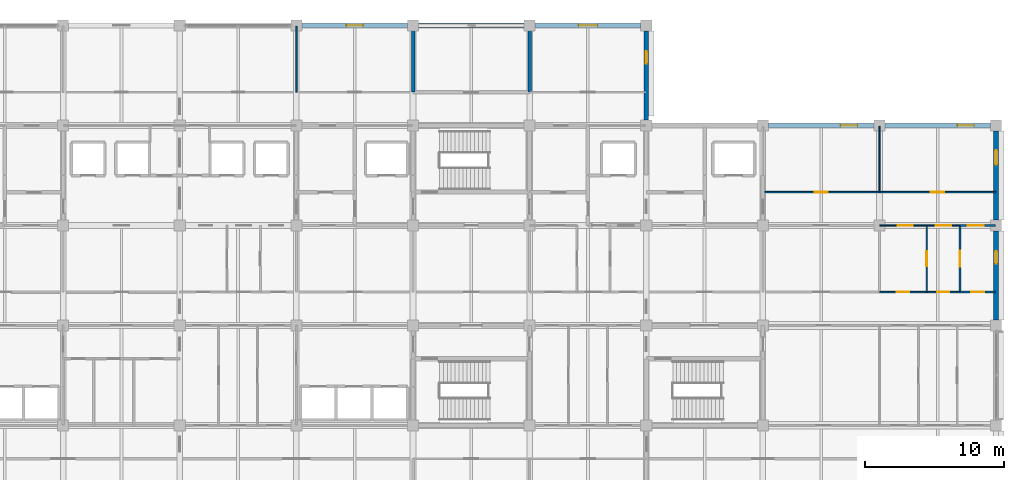
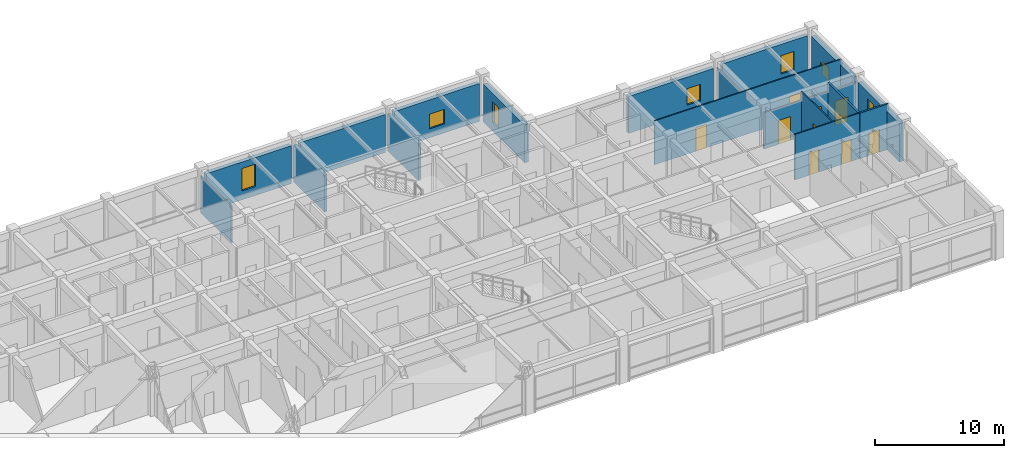
# One storey, part 26 of 30: 19 walls, 10 doors, 7 windows, 17 openings.
"""IFC4 building model written with IfcOpenShell, lengths in metres."""

from ifc_helpers import new_model, si_unit, direction, frame, frame_2d, origin, place, context, subcontext, project, spatial, rectangle, extrude, material, layer, layer_set, type_object, element, fill, save


model = new_model("IFC4")

# Units and contexts
model_context = context("Model", 3, precision=1e-05, world=origin(), true_north=direction((0.0, 1.0)))
body_context = subcontext(model_context, "Body", "Model", "MODEL_VIEW")
ifc_project = project(units=[si_unit("LENGTHUNIT", "METRE"), si_unit("AREAUNIT", "SQUARE_METRE"), si_unit("VOLUMEUNIT", "CUBIC_METRE"), si_unit("PLANEANGLEUNIT", "RADIAN"), si_unit("MASSUNIT", "GRAM", prefix="KILO")], contexts=[model_context])

# Site, building, storey
site_placement = place(None, origin())
site = spatial("IfcSite", under=ifc_project, at=site_placement, CompositionType="ELEMENT")
building_placement = place(site_placement, origin())
building = spatial("IfcBuilding", under=site, at=building_placement, Name="Chengyuan Square Courthouse", CompositionType="ELEMENT")
storey_placement = place(building_placement, frame((0.0, 0.0, 30.60009765625)))
storey = spatial("IfcBuildingStorey", under=building, at=storey_placement, Name="L07", CompositionType="ELEMENT", Elevation=30.60009765625)

# Wall, opening, window
ifc_material_1 = material(Name="Concrete C40", Category="concrete")
ifc_layer_1 = layer(ifc_material_1, 0.35009765625)
ifc_layer_set_1 = layer_set([ifc_layer_1], Name="Concrete C40")
wall_type_1 = type_object("IfcWallType", Name="WL-EW2", PredefinedType="STANDARD", material=ifc_layer_set_1)
wall_1_placement = place(storey_placement, frame((92.794921875, 115.199951171875, 0.0), z_axis=(0.0, 0.0, 1.0), x_axis=(1.0, 0.0, 0.0)))
wall_1 = element("IfcWall", 1, at=wall_1_placement, inside=storey, type_object=wall_type_1, Name="Exterior Wall WL-L07-E385", PredefinedType="STANDARD", context=body_context, shape_type="SweptSolid", body=[
    extrude(rectangle(XDim=7.610107421875, YDim=0.35009765625, at=frame_2d((3.80517578125, 0.0))), origin(), (0.0, 0.0, 1.0), 3.58984375),
])
opening_1_placement = place(wall_1_placement, frame((3.205078125, 0.0, 0.85009765625)))
opening_1 = element("IfcOpeningElement", 2, at=opening_1_placement, cuts=wall_1, Name="Opening WN-145", PredefinedType="OPENING", context=body_context, shape_type="SweptSolid", body=[
    extrude(rectangle(XDim=1.199951171875, YDim=2.1201171875, at=frame_2d((0.60009765625, 1.06005859375))), frame((0.0, 0.18701171875, 0.0), z_axis=(0.0, -1.0, 0.0), x_axis=(1.0, 0.0, 0.0)), (0.0, 0.0, 1.0), 0.3740234375),
])
ifc_material_2 = material(Name="Thermally Broken Aluminium Triple Low-E Window", Category="aluminium")
window_type_1 = type_object("IfcWindowType", Name="WT-18", PartitioningType="SINGLE_PANEL", PredefinedType="WINDOW", material=ifc_material_2)
window_1_placement = place(opening_1_placement, origin())
window_1 = element("IfcWindow", 3, at=window_1_placement, inside=storey, type_object=window_type_1, Name="Facade Window WN-145", OverallHeight=2.1201171875, OverallWidth=1.199951171875, PartitioningType="SINGLE_PANEL", PredefinedType="WINDOW", context=body_context, shape_type="SweptSolid", body=[
    extrude(rectangle(XDim=1.199951171875, YDim=2.1201171875, at=frame_2d((0.60009765625, 1.06005859375))), frame((0.0, 0.030029296875, 0.0), z_axis=(0.0, -1.0, 0.0), x_axis=(1.0, 0.0, 0.0)), (0.0, 0.0, 1.0), 0.06005859375),
])
fill(opening_1, window_1)

# Wall
wall_2_placement = place(storey_placement, frame((101.195068359375, 115.199951171875, 0.0), z_axis=(0.0, 0.0, 1.0), x_axis=(1.0, 0.0, 0.0)))
element("IfcWall", 4, at=wall_2_placement, inside=storey, type_object=wall_type_1, Name="Exterior Wall WL-L07-E386", PredefinedType="STANDARD", context=body_context, shape_type="SweptSolid", body=[
    extrude(rectangle(XDim=7.60986328125, YDim=0.35009765625, at=frame_2d((3.804931640625, 0.0))), origin(), (0.0, 0.0, 1.0), 3.58984375),
])

# Wall, opening, window
wall_3_placement = place(storey_placement, frame((109.594970703125, 115.199951171875, 0.0), z_axis=(0.0, 0.0, 1.0), x_axis=(1.0, 0.0, 0.0)))
wall_3 = element("IfcWall", 5, at=wall_3_placement, inside=storey, type_object=wall_type_1, Name="Exterior Wall WL-L07-E387", PredefinedType="STANDARD", context=body_context, shape_type="SweptSolid", body=[
    extrude(rectangle(XDim=7.610107421875, YDim=0.35009765625, at=frame_2d((3.80517578125, 0.0))), origin(), (0.0, 0.0, 1.0), 3.58984375),
])
opening_2_placement = place(wall_3_placement, frame((3.1298828125, 0.0, 0.85009765625)))
opening_2 = element("IfcOpeningElement", 6, at=opening_2_placement, cuts=wall_3, Name="Opening WN-146", PredefinedType="OPENING", context=body_context, shape_type="SweptSolid", body=[
    extrude(rectangle(XDim=1.35009765625, YDim=1.3798828125, at=frame_2d((0.675048828125, 0.68994140625))), frame((0.0, 0.18701171875, 0.0), z_axis=(0.0, -1.0, 0.0), x_axis=(1.0, 0.0, 0.0)), (0.0, 0.0, 1.0), 0.3740234375),
])
window_type_2 = type_object("IfcWindowType", Name="WT-20", PartitioningType="SINGLE_PANEL", PredefinedType="WINDOW", material=ifc_material_2)
window_2_placement = place(opening_2_placement, origin())
window_2 = element("IfcWindow", 7, at=window_2_placement, inside=storey, type_object=window_type_2, Name="Facade Window WN-146", OverallHeight=1.3798828125, OverallWidth=1.35009765625, PartitioningType="SINGLE_PANEL", PredefinedType="WINDOW", context=body_context, shape_type="SweptSolid", body=[
    extrude(rectangle(XDim=1.35009765625, YDim=1.3798828125, at=frame_2d((0.675048828125, 0.68994140625))), frame((0.0, 0.030029296875, 0.0), z_axis=(0.0, -1.0, 0.0), x_axis=(1.0, 0.0, 0.0)), (0.0, 0.0, 1.0), 0.06005859375),
])
fill(opening_2, window_2)

wall_4_placement = place(storey_placement, frame((117.60009765625, 108.39501953125, 0.0), z_axis=(0.0, 0.0, 1.0), x_axis=(0.0, 1.0, 0.0)))
wall_4 = element("IfcWall", 8, at=wall_4_placement, inside=storey, type_object=wall_type_1, Name="Exterior Wall WL-L07-E388", PredefinedType="STANDARD", context=body_context, shape_type="SweptSolid", body=[
    extrude(rectangle(XDim=6.409912109375, YDim=0.35009765625, at=frame_2d((3.205078125, 0.0))), origin(), (0.0, 0.0, 1.0), 3.58984375),
])
opening_3_placement = place(wall_4_placement, frame((4.054931640625, 0.0, 0.85009765625)))
opening_3 = element("IfcOpeningElement", 9, at=opening_3_placement, cuts=wall_4, Name="Opening WN-147", PredefinedType="OPENING", context=body_context, shape_type="SweptSolid", body=[
    extrude(rectangle(XDim=0.89990234375, YDim=1.919921875, at=frame_2d((0.449951171875, 0.9599609375))), frame((0.0, 0.18701171875, 0.0), z_axis=(0.0, -1.0, 0.0), x_axis=(1.0, 0.0, 0.0)), (0.0, 0.0, 1.0), 0.3740234375),
])
window_type_3 = type_object("IfcWindowType", Name="WT-05", PartitioningType="SINGLE_PANEL", PredefinedType="WINDOW", material=ifc_material_2)
window_3_placement = place(opening_3_placement, origin())
window_3 = element("IfcWindow", 10, at=window_3_placement, inside=storey, type_object=window_type_3, Name="Facade Window WN-147", OverallHeight=1.919921875, OverallWidth=0.89990234375, PartitioningType="SINGLE_PANEL", PredefinedType="WINDOW", context=body_context, shape_type="SweptSolid", body=[
    extrude(rectangle(XDim=0.89990234375, YDim=1.919921875, at=frame_2d((0.449951171875, 0.9599609375))), frame((0.0, 0.030029296875, 0.0), z_axis=(0.0, -1.0, 0.0), x_axis=(1.0, 0.0, 0.0)), (0.0, 0.0, 1.0), 0.06005859375),
])
fill(opening_3, window_3)

wall_5_placement = place(storey_placement, frame((126.39501953125, 108.0, 0.0), z_axis=(0.0, 0.0, 1.0), x_axis=(1.0, 0.0, 0.0)))
wall_5 = element("IfcWall", 11, at=wall_5_placement, inside=storey, type_object=wall_type_1, Name="Exterior Wall WL-L07-E390", PredefinedType="STANDARD", context=body_context, shape_type="SweptSolid", body=[
    extrude(rectangle(XDim=7.60986328125, YDim=0.35009765625, at=frame_2d((3.804931640625, 0.0))), origin(), (0.0, 0.0, 1.0), 3.5),
])
opening_4_placement = place(wall_5_placement, frame((5.205078125, 0.0, 0.85009765625)))
opening_4 = element("IfcOpeningElement", 12, at=opening_4_placement, cuts=wall_5, Name="Opening WN-148", PredefinedType="OPENING", context=body_context, shape_type="SweptSolid", body=[
    extrude(rectangle(XDim=1.199951171875, YDim=1.56005859375, at=frame_2d((0.60009765625, 0.780029296875))), frame((0.0, 0.18701171875, 0.0), z_axis=(0.0, -1.0, 0.0), x_axis=(1.0, 0.0, 0.0)), (0.0, 0.0, 1.0), 0.3740234375),
])
window_type_4 = type_object("IfcWindowType", Name="WT-15", PartitioningType="SINGLE_PANEL", PredefinedType="WINDOW", material=ifc_material_2)
window_4_placement = place(opening_4_placement, origin())
window_4 = element("IfcWindow", 13, at=window_4_placement, inside=storey, type_object=window_type_4, Name="Facade Window WN-148", OverallHeight=1.56005859375, OverallWidth=1.199951171875, PartitioningType="SINGLE_PANEL", PredefinedType="WINDOW", context=body_context, shape_type="SweptSolid", body=[
    extrude(rectangle(XDim=1.199951171875, YDim=1.56005859375, at=frame_2d((0.60009765625, 0.780029296875))), frame((0.0, 0.030029296875, 0.0), z_axis=(0.0, -1.0, 0.0), x_axis=(1.0, 0.0, 0.0)), (0.0, 0.0, 1.0), 0.06005859375),
])
fill(opening_4, window_4)

wall_6_placement = place(storey_placement, frame((142.800048828125, 93.9951171875, 0.0), z_axis=(0.0, 0.0, 1.0), x_axis=(0.0, 1.0, 0.0)))
wall_6 = element("IfcWall", 14, at=wall_6_placement, inside=storey, type_object=wall_type_1, Name="Exterior Wall WL-L07-E392", PredefinedType="STANDARD", context=body_context, shape_type="SweptSolid", body=[
    extrude(rectangle(XDim=6.409912109375, YDim=0.35009765625, at=frame_2d((3.205078125, 0.0))), origin(), (0.0, 0.0, 1.0), 3.64990234375),
])
opening_5_placement = place(wall_6_placement, frame((4.054931640625, 0.0, 0.85009765625)))
opening_5 = element("IfcOpeningElement", 15, at=opening_5_placement, cuts=wall_6, Name="Opening WN-150", PredefinedType="OPENING", context=body_context, shape_type="SweptSolid", body=[
    extrude(rectangle(XDim=0.89990234375, YDim=2.1201171875, at=frame_2d((0.449951171875, 1.06005859375))), frame((0.0, 0.18701171875, 0.0), z_axis=(0.0, -1.0, 0.0), x_axis=(1.0, 0.0, 0.0)), (0.0, 0.0, 1.0), 0.3740234375),
])
window_type_5 = type_object("IfcWindowType", Name="WT-06", PartitioningType="SINGLE_PANEL", PredefinedType="WINDOW", material=ifc_material_2)
window_5_placement = place(opening_5_placement, origin())
window_5 = element("IfcWindow", 16, at=window_5_placement, inside=storey, type_object=window_type_5, Name="Facade Window WN-150", OverallHeight=2.1201171875, OverallWidth=0.89990234375, PartitioningType="SINGLE_PANEL", PredefinedType="WINDOW", context=body_context, shape_type="SweptSolid", body=[
    extrude(rectangle(XDim=0.89990234375, YDim=2.1201171875, at=frame_2d((0.449951171875, 1.06005859375))), frame((0.0, 0.030029296875, 0.0), z_axis=(0.0, -1.0, 0.0), x_axis=(1.0, 0.0, 0.0)), (0.0, 0.0, 1.0), 0.06005859375),
])
fill(opening_5, window_5)

wall_7_placement = place(storey_placement, frame((134.794921875, 108.0, 0.0), z_axis=(0.0, 0.0, 1.0), x_axis=(1.0, 0.0, 0.0)))
wall_7 = element("IfcWall", 17, at=wall_7_placement, inside=storey, type_object=wall_type_1, Name="Exterior Wall WL-L07-E393", PredefinedType="STANDARD", context=body_context, shape_type="SweptSolid", body=[
    extrude(rectangle(XDim=7.610107421875, YDim=0.35009765625, at=frame_2d((3.80517578125, 0.0))), origin(), (0.0, 0.0, 1.0), 3.64990234375),
])
opening_6_placement = place(wall_7_placement, frame((5.205078125, 0.0, 0.85009765625)))
opening_6 = element("IfcOpeningElement", 18, at=opening_6_placement, cuts=wall_7, Name="Opening WN-151", PredefinedType="OPENING", context=body_context, shape_type="SweptSolid", body=[
    extrude(rectangle(XDim=1.199951171875, YDim=1.739990234375, at=frame_2d((0.60009765625, 0.8701171875))), frame((0.0, 0.18701171875, 0.0), z_axis=(0.0, -1.0, 0.0), x_axis=(1.0, 0.0, 0.0)), (0.0, 0.0, 1.0), 0.3740234375),
])
window_type_6 = type_object("IfcWindowType", Name="WT-16", PartitioningType="SINGLE_PANEL", PredefinedType="WINDOW", material=ifc_material_2)
window_6_placement = place(opening_6_placement, origin())
window_6 = element("IfcWindow", 19, at=window_6_placement, inside=storey, type_object=window_type_6, Name="Facade Window WN-151", OverallHeight=1.739990234375, OverallWidth=1.199951171875, PartitioningType="SINGLE_PANEL", PredefinedType="WINDOW", context=body_context, shape_type="SweptSolid", body=[
    extrude(rectangle(XDim=1.199951171875, YDim=1.739990234375, at=frame_2d((0.60009765625, 0.8701171875))), frame((0.0, 0.030029296875, 0.0), z_axis=(0.0, -1.0, 0.0), x_axis=(1.0, 0.0, 0.0)), (0.0, 0.0, 1.0), 0.06005859375),
])
fill(opening_6, window_6)

wall_8_placement = place(storey_placement, frame((142.800048828125, 101.195068359375, 0.0), z_axis=(0.0, 0.0, 1.0), x_axis=(0.0, 1.0, 0.0)))
wall_8 = element("IfcWall", 20, at=wall_8_placement, inside=storey, type_object=wall_type_1, Name="Exterior Wall WL-L07-E394", PredefinedType="STANDARD", context=body_context, shape_type="SweptSolid", body=[
    extrude(rectangle(XDim=6.409912109375, YDim=0.35009765625, at=frame_2d((3.205078125, 0.0))), origin(), (0.0, 0.0, 1.0), 3.64990234375),
])
opening_7_placement = place(wall_8_placement, frame((3.97998046875, 0.0, 0.85009765625)))
opening_7 = element("IfcOpeningElement", 21, at=opening_7_placement, cuts=wall_8, Name="Opening WN-152", PredefinedType="OPENING", context=body_context, shape_type="SweptSolid", body=[
    extrude(rectangle(XDim=1.050048828125, YDim=1.199951171875, at=frame_2d((0.52490234375, 0.60009765625))), frame((0.0, 0.18701171875, 0.0), z_axis=(0.0, -1.0, 0.0), x_axis=(1.0, 0.0, 0.0)), (0.0, 0.0, 1.0), 0.3740234375),
])
window_type_7 = type_object("IfcWindowType", Name="WT-07", PartitioningType="SINGLE_PANEL", PredefinedType="WINDOW", material=ifc_material_2)
window_7_placement = place(opening_7_placement, origin())
window_7 = element("IfcWindow", 22, at=window_7_placement, inside=storey, type_object=window_type_7, Name="Facade Window WN-152", OverallHeight=1.199951171875, OverallWidth=1.050048828125, PartitioningType="SINGLE_PANEL", PredefinedType="WINDOW", context=body_context, shape_type="SweptSolid", body=[
    extrude(rectangle(XDim=1.050048828125, YDim=1.199951171875, at=frame_2d((0.52490234375, 0.60009765625))), frame((0.0, 0.030029296875, 0.0), z_axis=(0.0, -1.0, 0.0), x_axis=(1.0, 0.0, 0.0)), (0.0, 0.0, 1.0), 0.06005859375),
])
fill(opening_7, window_7)

# Walls
ifc_layer_2 = layer(ifc_material_1, 0.25)
ifc_layer_set_2 = layer_set([ifc_layer_2], Name="Concrete C40")
wall_type_2 = type_object("IfcWallType", Name="WL-FW1", PredefinedType="STANDARD", material=ifc_layer_set_2)
for number, where, z_axis, x_axis, name in (
    (23, (100.800048828125, 110.39990234375, 0.0), (0.0, 0.0, 1.0), (0.0, 1.0, 0.0), "Interior Wall WL-L07-I2836"),
    (24, (109.199951171875, 110.39990234375, 0.0), (0.0, 0.0, 1.0), (0.0, 1.0, 0.0), "Interior Wall WL-L07-I2843"),
):
    element("IfcWall", number, at=place(storey_placement, frame(where, z_axis=z_axis, x_axis=x_axis)), inside=storey, type_object=wall_type_2, Name=name, PredefinedType="STANDARD", context=body_context, shape_type="SweptSolid", body=[
        extrude(rectangle(XDim=4.760009765625, YDim=0.25, at=frame_2d((2.3798828125, 0.0))), origin(), (0.0, 0.0, 1.0), 3.489990234375),
    ])

# Wall, opening, door
ifc_material_3 = material(Name="Deliberation Room Sound-Insulated Partition")
ifc_layer_3 = layer(ifc_material_3, 0.14990234375)
ifc_layer_set_3 = layer_set([ifc_layer_3], Name="Deliberation Room Sound-Insulated Partition")
wall_type_3 = type_object("IfcWallType", Name="WL-PT3", PredefinedType="STANDARD", material=ifc_layer_set_3)
wall_9_placement = place(storey_placement, frame((140.199951171875, 96.0, 0.0), z_axis=(0.0, 0.0, 1.0), x_axis=(1.0, 0.0, 0.0)))
wall_9 = element("IfcWall", 25, at=wall_9_placement, inside=storey, type_object=wall_type_3, Name="Interior Wall WL-L07-I2666", PredefinedType="STANDARD", context=body_context, shape_type="SweptSolid", body=[
    extrude(rectangle(XDim=2.56005859375, YDim=0.14990234375, at=frame_2d((1.280029296875, 0.0))), origin(), (0.0, 0.0, 1.0), 4.2998046875),
])
opening_8_placement = place(wall_9_placement, frame((0.820068359375, 0.0, 0.0)))
opening_8 = element("IfcOpeningElement", 26, at=opening_8_placement, cuts=wall_9, Name="Opening DR-2426", PredefinedType="OPENING", context=body_context, shape_type="SweptSolid", body=[
    extrude(rectangle(XDim=0.919921875, YDim=2.14990234375, at=frame_2d((0.4599609375, 1.074951171875))), frame((0.0, 0.0869140625, 0.0), z_axis=(0.0, -1.0, 0.0), x_axis=(1.0, 0.0, 0.0)), (0.0, 0.0, 1.0), 0.173828125),
])
ifc_material_4 = material(Name="Acoustic Solid-Core Timber Door", Category="wood")
door_type_1 = type_object("IfcDoorType", Name="DT-29", OperationType="NOTDEFINED", PredefinedType="DOOR", material=ifc_material_4)
door_1_placement = place(opening_8_placement, origin())
door_1 = element("IfcDoor", 27, at=door_1_placement, inside=storey, type_object=door_type_1, Name="Interior Door DR-2426", OperationType="SINGLE_SWING_RIGHT", OverallHeight=2.14990234375, OverallWidth=0.919921875, PredefinedType="DOOR", context=body_context, shape_type="SweptSolid", body=[
    extrude(rectangle(XDim=0.919921875, YDim=2.14990234375, at=frame_2d((0.4599609375, 1.074951171875))), frame((0.0, 0.02490234375, 0.0), z_axis=(0.0, -1.0, 0.0), x_axis=(1.0, 0.0, 0.0)), (0.0, 0.0, 1.0), 0.050048828125),
])
fill(opening_8, door_1)

wall_10_placement = place(storey_placement, frame((140.199951171875, 100.800048828125, 0.0), z_axis=(0.0, 0.0, 1.0), x_axis=(1.0, 0.0, 0.0)))
wall_10 = element("IfcWall", 28, at=wall_10_placement, inside=storey, type_object=wall_type_3, Name="Interior Wall WL-L07-I2685", PredefinedType="STANDARD", context=body_context, shape_type="SweptSolid", body=[
    extrude(rectangle(XDim=2.56005859375, YDim=0.14990234375, at=frame_2d((1.280029296875, 0.0))), origin(), (0.0, 0.0, 1.0), 3.449951171875),
])
opening_9_placement = place(wall_10_placement, frame((0.56005859375, 0.0, 0.0)))
opening_9 = element("IfcOpeningElement", 29, at=opening_9_placement, cuts=wall_10, Name="Opening DR-2381", PredefinedType="OPENING", context=body_context, shape_type="SweptSolid", body=[
    extrude(rectangle(XDim=1.159912109375, YDim=2.300048828125, at=frame_2d((0.580078125, 1.14990234375))), frame((0.0, 0.0869140625, 0.0), z_axis=(0.0, -1.0, 0.0), x_axis=(1.0, 0.0, 0.0)), (0.0, 0.0, 1.0), 0.173828125),
])
door_type_2 = type_object("IfcDoorType", Name="DT-35", OperationType="NOTDEFINED", PredefinedType="DOOR", material=ifc_material_4)
door_2_placement = place(opening_9_placement, origin())
door_2 = element("IfcDoor", 30, at=door_2_placement, inside=storey, type_object=door_type_2, Name="Interior Door DR-2381", OperationType="SINGLE_SWING_LEFT", OverallHeight=2.300048828125, OverallWidth=1.159912109375, PredefinedType="DOOR", context=body_context, shape_type="SweptSolid", body=[
    extrude(rectangle(XDim=1.159912109375, YDim=2.300048828125, at=frame_2d((0.580078125, 1.14990234375))), frame((0.0, 0.02490234375, 0.0), z_axis=(0.0, -1.0, 0.0), x_axis=(1.0, 0.0, 0.0)), (0.0, 0.0, 1.0), 0.050048828125),
])
fill(opening_9, door_2)

wall_11_placement = place(storey_placement, frame((140.199951171875, 96.0, 0.0), z_axis=(0.0, 0.0, 1.0), x_axis=(0.0, 1.0, 0.0)))
wall_11 = element("IfcWall", 31, at=wall_11_placement, inside=storey, type_object=wall_type_3, Name="Interior Wall WL-L07-I2872", PredefinedType="STANDARD", context=body_context, shape_type="SweptSolid", body=[
    extrude(rectangle(XDim=4.800048828125, YDim=0.14990234375, at=frame_2d((2.39990234375, 0.0))), origin(), (0.0, 0.0, 1.0), 4.2998046875),
])
opening_10_placement = place(wall_11_placement, frame((1.830078125, 0.0, 0.0)))
opening_10 = element("IfcOpeningElement", 32, at=opening_10_placement, cuts=wall_11, Name="Opening DR-2440", PredefinedType="OPENING", context=body_context, shape_type="SweptSolid", body=[
    extrude(rectangle(XDim=1.139892578125, YDim=2.39990234375, at=frame_2d((0.56982421875, 1.199951171875))), frame((0.0, 0.0869140625, 0.0), z_axis=(0.0, -1.0, 0.0), x_axis=(1.0, 0.0, 0.0)), (0.0, 0.0, 1.0), 0.173828125),
])
door_type_3 = type_object("IfcDoorType", Name="DT-43", OperationType="NOTDEFINED", PredefinedType="DOOR", material=ifc_material_4)
door_3_placement = place(opening_10_placement, origin())
door_3 = element("IfcDoor", 33, at=door_3_placement, inside=storey, type_object=door_type_3, Name="Interior Door DR-2440", OperationType="SINGLE_SWING_LEFT", OverallHeight=2.39990234375, OverallWidth=1.139892578125, PredefinedType="DOOR", context=body_context, shape_type="SweptSolid", body=[
    extrude(rectangle(XDim=1.139892578125, YDim=2.39990234375, at=frame_2d((0.56982421875, 1.199951171875))), frame((0.0, 0.02490234375, 0.0), z_axis=(0.0, -1.0, 0.0), x_axis=(1.0, 0.0, 0.0)), (0.0, 0.0, 1.0), 0.050048828125),
])
fill(opening_10, door_3)

# Wall, openings, doors
ifc_material_5 = material(Name="Gypsum Plasterboard Acoustic Stud Partition")
ifc_layer_4 = layer(ifc_material_5, 0.10009765625)
ifc_layer_set_4 = layer_set([ifc_layer_4], Name="Gypsum Plasterboard Acoustic Stud Partition")
wall_type_4 = type_object("IfcWallType", Name="WL-PT6", PredefinedType="STANDARD", material=ifc_layer_set_4)
wall_12_placement = place(storey_placement, frame((134.39990234375, 96.0, 0.0), z_axis=(0.0, 0.0, 1.0), x_axis=(1.0, 0.0, 0.0)))
wall_12 = element("IfcWall", 34, at=wall_12_placement, inside=storey, type_object=wall_type_4, Name="Interior Wall WL-L07-I2665", PredefinedType="STANDARD", context=body_context, shape_type="SweptSolid", body=[
    extrude(rectangle(XDim=5.800048828125, YDim=0.10009765625, at=frame_2d((2.89990234375, 0.0))), origin(), (0.0, 0.0, 1.0), 4.2998046875),
])
opening_11_placement = place(wall_12_placement, frame((1.25, 0.0, 0.0)))
opening_11 = element("IfcOpeningElement", 35, at=opening_11_placement, cuts=wall_12, Name="Opening DR-2424", PredefinedType="OPENING", context=body_context, shape_type="SweptSolid", body=[
    extrude(rectangle(XDim=0.89990234375, YDim=2.14990234375, at=frame_2d((0.449951171875, 1.074951171875))), frame((0.0, 0.06201171875, 0.0), z_axis=(0.0, -1.0, 0.0), x_axis=(1.0, 0.0, 0.0)), (0.0, 0.0, 1.0), 0.1240234375),
])
opening_12_placement = place(wall_12_placement, frame((4.169921875, 0.0, 0.0)))
opening_12 = element("IfcOpeningElement", 36, at=opening_12_placement, cuts=wall_12, Name="Opening DR-2425", PredefinedType="OPENING", context=body_context, shape_type="SweptSolid", body=[
    extrude(rectangle(XDim=0.860107421875, YDim=2.10009765625, at=frame_2d((0.43017578125, 1.050048828125))), frame((0.0, 0.06201171875, 0.0), z_axis=(0.0, -1.0, 0.0), x_axis=(1.0, 0.0, 0.0)), (0.0, 0.0, 1.0), 0.1240234375),
])
door_type_4 = type_object("IfcDoorType", Name="DT-27", OperationType="NOTDEFINED", PredefinedType="DOOR", material=ifc_material_4)
door_4_placement = place(opening_11_placement, origin())
door_4 = element("IfcDoor", 37, at=door_4_placement, inside=storey, type_object=door_type_4, Name="Interior Door DR-2424", OperationType="SINGLE_SWING_RIGHT", OverallHeight=2.14990234375, OverallWidth=0.89990234375, PredefinedType="DOOR", context=body_context, shape_type="SweptSolid", body=[
    extrude(rectangle(XDim=0.89990234375, YDim=2.14990234375, at=frame_2d((0.449951171875, 1.074951171875))), frame((0.0, 0.02490234375, 0.0), z_axis=(0.0, -1.0, 0.0), x_axis=(1.0, 0.0, 0.0)), (0.0, 0.0, 1.0), 0.050048828125),
])
fill(opening_11, door_4)
door_type_5 = type_object("IfcDoorType", Name="DT-28", OperationType="NOTDEFINED", PredefinedType="DOOR", material=ifc_material_4)
door_5_placement = place(opening_12_placement, origin())
door_5 = element("IfcDoor", 38, at=door_5_placement, inside=storey, type_object=door_type_5, Name="Interior Door DR-2425", OperationType="SINGLE_SWING_LEFT", OverallHeight=2.10009765625, OverallWidth=0.860107421875, PredefinedType="DOOR", context=body_context, shape_type="SweptSolid", body=[
    extrude(rectangle(XDim=0.860107421875, YDim=2.10009765625, at=frame_2d((0.43017578125, 1.050048828125))), frame((0.0, 0.02490234375, 0.0), z_axis=(0.0, -1.0, 0.0), x_axis=(1.0, 0.0, 0.0)), (0.0, 0.0, 1.0), 0.050048828125),
])
fill(opening_12, door_5)

wall_13_placement = place(storey_placement, frame((134.39990234375, 100.800048828125, 0.0), z_axis=(0.0, 0.0, 1.0), x_axis=(1.0, 0.0, 0.0)))
wall_13 = element("IfcWall", 39, at=wall_13_placement, inside=storey, type_object=wall_type_4, Name="Interior Wall WL-L07-I2684", PredefinedType="STANDARD", context=body_context, shape_type="SweptSolid", body=[
    extrude(rectangle(XDim=5.800048828125, YDim=0.10009765625, at=frame_2d((2.89990234375, 0.0))), origin(), (0.0, 0.0, 1.0), 3.449951171875),
])
opening_13_placement = place(wall_13_placement, frame((1.320068359375, 0.0, 0.0)))
opening_13 = element("IfcOpeningElement", 40, at=opening_13_placement, cuts=wall_13, Name="Opening DR-2379", PredefinedType="OPENING", context=body_context, shape_type="SweptSolid", body=[
    extrude(rectangle(XDim=1.080078125, YDim=2.25, at=frame_2d((0.5400390625, 1.125))), frame((0.0, 0.06201171875, 0.0), z_axis=(0.0, -1.0, 0.0), x_axis=(1.0, 0.0, 0.0)), (0.0, 0.0, 1.0), 0.1240234375),
])
opening_14_placement = place(wall_13_placement, frame((4.0400390625, 0.0, 0.0)))
opening_14 = element("IfcOpeningElement", 41, at=opening_14_placement, cuts=wall_13, Name="Opening DR-2380", PredefinedType="OPENING", context=body_context, shape_type="SweptSolid", body=[
    extrude(rectangle(XDim=1.1201171875, YDim=2.25, at=frame_2d((0.56005859375, 1.125))), frame((0.0, 0.06201171875, 0.0), z_axis=(0.0, -1.0, 0.0), x_axis=(1.0, 0.0, 0.0)), (0.0, 0.0, 1.0), 0.1240234375),
])
door_type_6 = type_object("IfcDoorType", Name="DT-33", OperationType="NOTDEFINED", PredefinedType="DOOR", material=ifc_material_4)
door_6_placement = place(opening_13_placement, origin())
door_6 = element("IfcDoor", 42, at=door_6_placement, inside=storey, type_object=door_type_6, Name="Interior Door DR-2379", OperationType="SINGLE_SWING_LEFT", OverallHeight=2.25, OverallWidth=1.080078125, PredefinedType="DOOR", context=body_context, shape_type="SweptSolid", body=[
    extrude(rectangle(XDim=1.080078125, YDim=2.25, at=frame_2d((0.5400390625, 1.125))), frame((0.0, 0.02490234375, 0.0), z_axis=(0.0, -1.0, 0.0), x_axis=(1.0, 0.0, 0.0)), (0.0, 0.0, 1.0), 0.050048828125),
])
fill(opening_13, door_6)
door_type_7 = type_object("IfcDoorType", Name="DT-34", OperationType="NOTDEFINED", PredefinedType="DOOR", material=ifc_material_4)
door_7_placement = place(opening_14_placement, origin())
door_7 = element("IfcDoor", 43, at=door_7_placement, inside=storey, type_object=door_type_7, Name="Interior Door DR-2380", OperationType="SINGLE_SWING_RIGHT", OverallHeight=2.25, OverallWidth=1.1201171875, PredefinedType="DOOR", context=body_context, shape_type="SweptSolid", body=[
    extrude(rectangle(XDim=1.1201171875, YDim=2.25, at=frame_2d((0.56005859375, 1.125))), frame((0.0, 0.02490234375, 0.0), z_axis=(0.0, -1.0, 0.0), x_axis=(1.0, 0.0, 0.0)), (0.0, 0.0, 1.0), 0.050048828125),
])
fill(opening_14, door_7)

wall_14_placement = place(storey_placement, frame((126.0, 103.199951171875, 0.0), z_axis=(0.0, 0.0, 1.0), x_axis=(1.0, 0.0, 0.0)))
wall_14 = element("IfcWall", 44, at=wall_14_placement, inside=storey, type_object=wall_type_4, Name="Interior Wall WL-L07-I2695", PredefinedType="STANDARD", context=body_context, shape_type="SweptSolid", body=[
    extrude(rectangle(XDim=16.760009765625, YDim=0.10009765625, at=frame_2d((8.3798828125, 0.0))), origin(), (0.0, 0.0, 1.0), 4.14990234375),
])
opening_15_placement = place(wall_14_placement, frame((3.719970703125, 0.0, 0.0)))
opening_15 = element("IfcOpeningElement", 45, at=opening_15_placement, cuts=wall_14, Name="Opening DR-2376", PredefinedType="OPENING", context=body_context, shape_type="SweptSolid", body=[
    extrude(rectangle(XDim=0.9599609375, YDim=2.199951171875, at=frame_2d((0.47998046875, 1.10009765625))), frame((0.0, 0.06201171875, 0.0), z_axis=(0.0, -1.0, 0.0), x_axis=(1.0, 0.0, 0.0)), (0.0, 0.0, 1.0), 0.1240234375),
])
opening_16_placement = place(wall_14_placement, frame((12.080078125, 0.0, 0.0)))
opening_16 = element("IfcOpeningElement", 46, at=opening_16_placement, cuts=wall_14, Name="Opening DR-2377", PredefinedType="OPENING", context=body_context, shape_type="SweptSolid", body=[
    extrude(rectangle(XDim=1.0, YDim=2.25, at=frame_2d((0.5, 1.125))), frame((0.0, 0.06201171875, 0.0), z_axis=(0.0, -1.0, 0.0), x_axis=(1.0, 0.0, 0.0)), (0.0, 0.0, 1.0), 0.1240234375),
])
door_type_8 = type_object("IfcDoorType", Name="DT-30", OperationType="NOTDEFINED", PredefinedType="DOOR", material=ifc_material_4)
door_8_placement = place(opening_15_placement, origin())
door_8 = element("IfcDoor", 47, at=door_8_placement, inside=storey, type_object=door_type_8, Name="Interior Door DR-2376", OperationType="SINGLE_SWING_RIGHT", OverallHeight=2.199951171875, OverallWidth=0.9599609375, PredefinedType="DOOR", context=body_context, shape_type="SweptSolid", body=[
    extrude(rectangle(XDim=0.9599609375, YDim=2.199951171875, at=frame_2d((0.47998046875, 1.10009765625))), frame((0.0, 0.02490234375, 0.0), z_axis=(0.0, -1.0, 0.0), x_axis=(1.0, 0.0, 0.0)), (0.0, 0.0, 1.0), 0.050048828125),
])
fill(opening_15, door_8)
door_type_9 = type_object("IfcDoorType", Name="DT-31", OperationType="NOTDEFINED", PredefinedType="DOOR", material=ifc_material_4)
door_9_placement = place(opening_16_placement, origin())
door_9 = element("IfcDoor", 48, at=door_9_placement, inside=storey, type_object=door_type_9, Name="Interior Door DR-2377", OperationType="SINGLE_SWING_LEFT", OverallHeight=2.25, OverallWidth=1.0, PredefinedType="DOOR", context=body_context, shape_type="SweptSolid", body=[
    extrude(rectangle(XDim=1.0, YDim=2.25, at=frame_2d((0.5, 1.125))), frame((0.0, 0.02490234375, 0.0), z_axis=(0.0, -1.0, 0.0), x_axis=(1.0, 0.0, 0.0)), (0.0, 0.0, 1.0), 0.050048828125),
])
fill(opening_16, door_9)

# Walls
wall_15_placement = place(storey_placement, frame((92.39990234375, 110.39990234375, 0.0), z_axis=(0.0, 0.0, 1.0), x_axis=(0.0, 1.0, 0.0)))
element("IfcWall", 49, at=wall_15_placement, inside=storey, type_object=wall_type_4, Name="Interior Wall WL-L07-I2819", PredefinedType="STANDARD", context=body_context, shape_type="SweptSolid", body=[
    extrude(rectangle(XDim=4.760009765625, YDim=0.10009765625, at=frame_2d((2.3798828125, 0.0))), origin(), (0.0, 0.0, 1.0), 3.489990234375),
])
wall_16_placement = place(storey_placement, frame((134.39990234375, 103.199951171875, 0.0), z_axis=(0.0, 0.0, 1.0), x_axis=(0.0, 1.0, 0.0)))
element("IfcWall", 50, at=wall_16_placement, inside=storey, type_object=wall_type_4, Name="Interior Wall WL-L07-I2868", PredefinedType="STANDARD", context=body_context, shape_type="SweptSolid", body=[
    extrude(rectangle(XDim=4.760009765625, YDim=0.10009765625, at=frame_2d((2.3798828125, 0.0))), origin(), (0.0, 0.0, 1.0), 3.39990234375),
])

# Wall, opening, door
wall_17_placement = place(storey_placement, frame((137.800048828125, 96.0, 0.0), z_axis=(0.0, 0.0, 1.0), x_axis=(0.0, 1.0, 0.0)))
wall_17 = element("IfcWall", 51, at=wall_17_placement, inside=storey, type_object=wall_type_4, Name="Interior Wall WL-L07-I2870", PredefinedType="STANDARD", context=body_context, shape_type="SweptSolid", body=[
    extrude(rectangle(XDim=4.800048828125, YDim=0.10009765625, at=frame_2d((2.39990234375, 0.0))), origin(), (0.0, 0.0, 1.0), 4.2998046875),
])
opening_17_placement = place(wall_17_placement, frame((1.8701171875, 0.0, 0.0)))
opening_17 = element("IfcOpeningElement", 52, at=opening_17_placement, cuts=wall_17, Name="Opening DR-2439", PredefinedType="OPENING", context=body_context, shape_type="SweptSolid", body=[
    extrude(rectangle(XDim=1.06005859375, YDim=2.39990234375, at=frame_2d((0.530029296875, 1.199951171875))), frame((0.0, 0.06201171875, 0.0), z_axis=(0.0, -1.0, 0.0), x_axis=(1.0, 0.0, 0.0)), (0.0, 0.0, 1.0), 0.1240234375),
])
door_type_10 = type_object("IfcDoorType", Name="DT-42", OperationType="NOTDEFINED", PredefinedType="DOOR", material=ifc_material_4)
door_10_placement = place(opening_17_placement, origin())
door_10 = element("IfcDoor", 53, at=door_10_placement, inside=storey, type_object=door_type_10, Name="Interior Door DR-2439", OperationType="SINGLE_SWING_RIGHT", OverallHeight=2.39990234375, OverallWidth=1.06005859375, PredefinedType="DOOR", context=body_context, shape_type="SweptSolid", body=[
    extrude(rectangle(XDim=1.06005859375, YDim=2.39990234375, at=frame_2d((0.530029296875, 1.199951171875))), frame((0.0, 0.02490234375, 0.0), z_axis=(0.0, -1.0, 0.0), x_axis=(1.0, 0.0, 0.0)), (0.0, 0.0, 1.0), 0.050048828125),
])
fill(opening_17, door_10)

save(model, "model.ifc")
